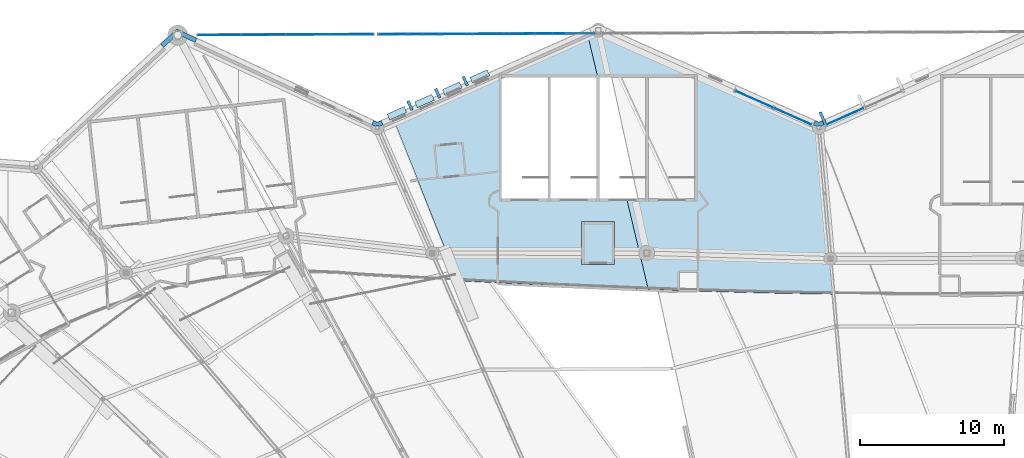
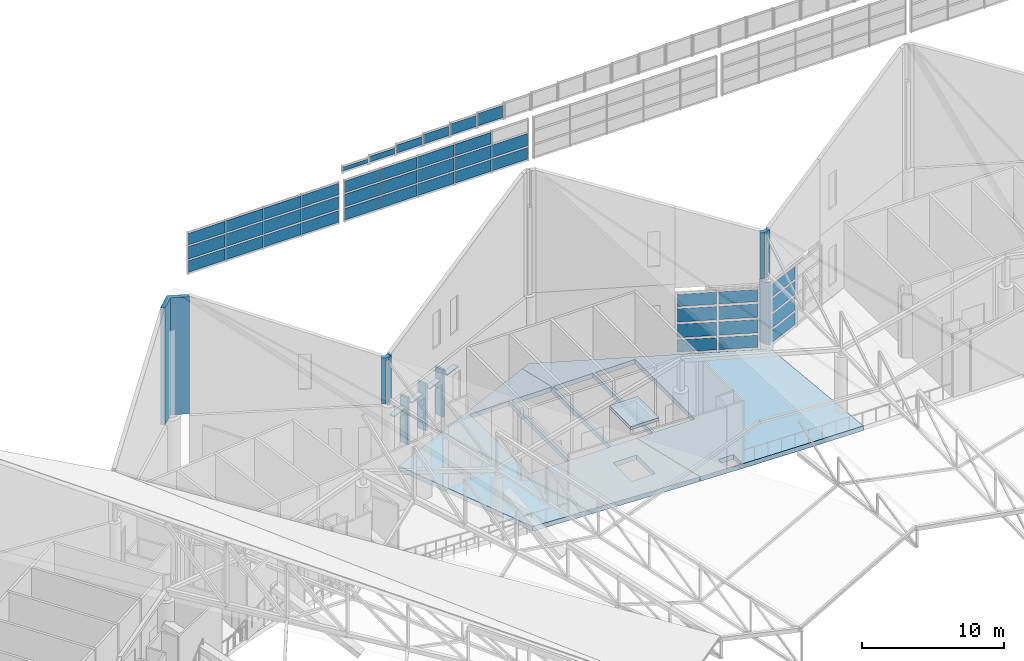
# One storey, part 237 of 344: 55 plates, 3 slabs, 10 elements without a shape of their own.
"""IFC4 building model written with IfcOpenShell, lengths in metres."""

from ifc_helpers import new_model, si_unit, direction, frame, origin, origin_2d, place, context, subcontext, project, spatial, polyline, rectangle, outline, extrude, material, layer, layer_set, type_object, element, aggregate, save


model = new_model("IFC4")

# Units and contexts
model_context = context("Model", 3, precision=1e-05, world=origin(), true_north=direction((0.0, 1.0)))
body_context = subcontext(model_context, "Body", "Model", "MODEL_VIEW")
ifc_project = project(units=[si_unit("LENGTHUNIT", "METRE"), si_unit("AREAUNIT", "SQUARE_METRE"), si_unit("VOLUMEUNIT", "CUBIC_METRE"), si_unit("PLANEANGLEUNIT", "RADIAN"), si_unit("MASSUNIT", "GRAM", prefix="KILO")], contexts=[model_context])

# Site, building, storey
site_placement = place(None, origin())
site = spatial("IfcSite", under=ifc_project, at=site_placement, CompositionType="ELEMENT")
building_placement = place(site_placement, origin())
building = spatial("IfcBuilding", under=site, at=building_placement, Name="Meseta Stadium", CompositionType="ELEMENT")
storey_placement = place(building_placement, frame((0.0, 0.0, 24.0)))
storey = spatial("IfcBuildingStorey", under=building, at=storey_placement, Name="L04", CompositionType="ELEMENT", Elevation=24.0)

# Plate
ifc_material_1 = material(Name="White precast concrete C40/50", Category="concrete")
ifc_layer_1 = layer(ifc_material_1, 0.199951171875)
ifc_layer_set_1 = layer_set([ifc_layer_1], Name="Brise-soleil fin 200x900")
plate_type_1 = type_object("IfcPlateType", Name="Brise-soleil fin 200x900", PredefinedType="USERDEFINED", material=ifc_layer_set_1)
plate_1_placement = place(storey_placement, frame((-7.39990234375, 99.29248046875, 0.0), z_axis=(0.0, 0.0, 1.0), x_axis=(-0.914139046248, -0.40540079443, 0.0)))
element("IfcPlate", 1, at=plate_1_placement, inside=storey, type_object=plate_type_1, Name="Brise-soleil fin F18.3", ObjectType="FIN", PredefinedType="USERDEFINED", context=body_context, shape_type="SweptSolid", body=[
    extrude(rectangle(XDim=0.199951171875, YDim=0.89990234375, at=origin_2d()), origin(), (0.0, 0.0, 1.0), 5.35009765625),
])

# Curtain wall, plates
ifc_material_2 = material(Name="Steel S355", Category="steel")
ifc_layer_2 = layer(ifc_material_2, 0.300048828125)
ifc_layer_set_2 = layer_set([ifc_layer_2], Name="Valley atrium curtain wall")
curtain_wall_type_1 = type_object("IfcCurtainWallType", Name="Valley atrium curtain wall", PredefinedType="NOTDEFINED", material=ifc_layer_set_2)
curtain_wall_1_placement = place(storey_placement, origin())
curtain_wall_1 = element("IfcCurtainWall", 2, at=curtain_wall_1_placement, inside=storey, type_object=curtain_wall_type_1, Name="Valley atrium glazing F18", PredefinedType="NOTDEFINED")
ifc_material_3 = material(Name="Glass", Category="glass")
ifc_layer_3 = layer(ifc_material_3, 0.035888671875)
ifc_layer_set_3 = layer_set([ifc_layer_3], Name="CW glass panel 36")
plate_type_2 = type_object("IfcPlateType", Name="CW glass panel 36", PredefinedType="CURTAIN_PANEL", material=ifc_layer_set_3)
plate_2_placement = place(storey_placement, frame((-5.85009765625, 99.405517578125, 0.199951171875), z_axis=(0.0, 0.0, 1.0), x_axis=(-0.914139046206, -0.405400794526, 0.0)))
plate_2 = element("IfcPlate", 3, at=plate_2_placement, type_object=plate_type_2, Name="CWA panel 2.1", PredefinedType="CURTAIN_PANEL", context=body_context, shape_type="SweptSolid", body=[
    extrude(rectangle(XDim=2.77490234375, YDim=0.035888671875, at=origin_2d()), origin(), (0.0, 0.0, 1.0), 1.03759765625),
])
plate_3_placement = place(storey_placement, frame((-5.85009765625, 99.405517578125, 1.4375), z_axis=(0.0, 0.0, 1.0), x_axis=(-0.914139046206, -0.405400794526, 0.0)))
plate_3 = element("IfcPlate", 4, at=plate_3_placement, type_object=plate_type_2, Name="CWA panel 2.2", PredefinedType="CURTAIN_PANEL", context=body_context, shape_type="SweptSolid", body=[
    extrude(rectangle(XDim=2.77490234375, YDim=0.035888671875, at=origin_2d()), origin(), (0.0, 0.0, 1.0), 1.137451171875),
])
plate_4_placement = place(storey_placement, frame((-5.85009765625, 99.405517578125, 2.77490234375), z_axis=(0.0, 0.0, 1.0), x_axis=(-0.914139046206, -0.405400794526, 0.0)))
plate_4 = element("IfcPlate", 5, at=plate_4_placement, type_object=plate_type_2, Name="CWA panel 2.3", PredefinedType="CURTAIN_PANEL", context=body_context, shape_type="SweptSolid", body=[
    extrude(rectangle(XDim=2.77490234375, YDim=0.035888671875, at=origin_2d()), origin(), (0.0, 0.0, 1.0), 1.137451171875),
])
plate_5_placement = place(storey_placement, frame((-5.85009765625, 99.405517578125, 4.112548828125), z_axis=(0.0, 0.0, 1.0), x_axis=(-0.914139046206, -0.405400794526, 0.0)))
plate_5 = element("IfcPlate", 6, at=plate_5_placement, type_object=plate_type_2, Name="CWA panel 2.4", PredefinedType="CURTAIN_PANEL", context=body_context, shape_type="SweptSolid", body=[
    extrude(rectangle(XDim=2.77490234375, YDim=0.035888671875, at=origin_2d()), origin(), (0.0, 0.0, 1.0), 1.03759765625),
])
aggregate(curtain_wall_1, [plate_2, plate_3, plate_4, plate_5])

curtain_wall_2_placement = place(storey_placement, origin())
curtain_wall_2 = element("IfcCurtainWall", 7, at=curtain_wall_2_placement, inside=storey, type_object=curtain_wall_type_1, Name="Valley atrium glazing F19", PredefinedType="NOTDEFINED")
plate_6_placement = place(storey_placement, frame((-9.483154296875, 99.405517578125, 0.199951171875), z_axis=(0.0, 0.0, 1.0), x_axis=(-0.914139046234, 0.405400794462, 0.0)))
plate_6 = element("IfcPlate", 8, at=plate_6_placement, type_object=plate_type_2, Name="CWA panel 1.1", PredefinedType="CURTAIN_PANEL", context=body_context, shape_type="SweptSolid", body=[
    extrude(rectangle(XDim=2.77490234375, YDim=0.035888671875, at=origin_2d()), origin(), (0.0, 0.0, 1.0), 1.03759765625),
])
plate_7_placement = place(storey_placement, frame((-9.483154296875, 99.405517578125, 1.4375), z_axis=(0.0, 0.0, 1.0), x_axis=(-0.914139046234, 0.405400794462, 0.0)))
plate_7 = element("IfcPlate", 9, at=plate_7_placement, type_object=plate_type_2, Name="CWA panel 1.2", PredefinedType="CURTAIN_PANEL", context=body_context, shape_type="SweptSolid", body=[
    extrude(rectangle(XDim=2.77490234375, YDim=0.035888671875, at=origin_2d()), origin(), (0.0, 0.0, 1.0), 1.137451171875),
])
plate_8_placement = place(storey_placement, frame((-9.483154296875, 99.405517578125, 2.77490234375), z_axis=(0.0, 0.0, 1.0), x_axis=(-0.914139046234, 0.405400794462, 0.0)))
plate_8 = element("IfcPlate", 10, at=plate_8_placement, type_object=plate_type_2, Name="CWA panel 1.3", PredefinedType="CURTAIN_PANEL", context=body_context, shape_type="SweptSolid", body=[
    extrude(rectangle(XDim=2.77490234375, YDim=0.035888671875, at=origin_2d()), origin(), (0.0, 0.0, 1.0), 1.137451171875),
])
plate_9_placement = place(storey_placement, frame((-9.483154296875, 99.405517578125, 4.112548828125), z_axis=(0.0, 0.0, 1.0), x_axis=(-0.914139046234, 0.405400794462, 0.0)))
plate_9 = element("IfcPlate", 11, at=plate_9_placement, type_object=plate_type_2, Name="CWA panel 1.4", PredefinedType="CURTAIN_PANEL", context=body_context, shape_type="SweptSolid", body=[
    extrude(rectangle(XDim=2.77490234375, YDim=0.035888671875, at=origin_2d()), origin(), (0.0, 0.0, 1.0), 1.03759765625),
])
plate_10_placement = place(storey_placement, frame((-12.156982421875, 100.59130859375, 0.199951171875), z_axis=(0.0, 0.0, 1.0), x_axis=(-0.914139046234, 0.405400794462, 0.0)))
plate_10 = element("IfcPlate", 12, at=plate_10_placement, type_object=plate_type_2, Name="CWA panel 2.1", PredefinedType="CURTAIN_PANEL", context=body_context, shape_type="SweptSolid", body=[
    extrude(rectangle(XDim=2.77490234375, YDim=0.035888671875, at=origin_2d()), origin(), (0.0, 0.0, 1.0), 1.03759765625),
])
plate_11_placement = place(storey_placement, frame((-12.156982421875, 100.59130859375, 1.4375), z_axis=(0.0, 0.0, 1.0), x_axis=(-0.914139046234, 0.405400794462, 0.0)))
plate_11 = element("IfcPlate", 13, at=plate_11_placement, type_object=plate_type_2, Name="CWA panel 2.2", PredefinedType="CURTAIN_PANEL", context=body_context, shape_type="SweptSolid", body=[
    extrude(rectangle(XDim=2.77490234375, YDim=0.035888671875, at=origin_2d()), origin(), (0.0, 0.0, 1.0), 1.137451171875),
])
plate_12_placement = place(storey_placement, frame((-12.156982421875, 100.59130859375, 2.77490234375), z_axis=(0.0, 0.0, 1.0), x_axis=(-0.914139046234, 0.405400794462, 0.0)))
plate_12 = element("IfcPlate", 14, at=plate_12_placement, type_object=plate_type_2, Name="CWA panel 2.3", PredefinedType="CURTAIN_PANEL", context=body_context, shape_type="SweptSolid", body=[
    extrude(rectangle(XDim=2.77490234375, YDim=0.035888671875, at=origin_2d()), origin(), (0.0, 0.0, 1.0), 1.137451171875),
])
plate_13_placement = place(storey_placement, frame((-12.156982421875, 100.59130859375, 4.112548828125), z_axis=(0.0, 0.0, 1.0), x_axis=(-0.914139046234, 0.405400794462, 0.0)))
plate_13 = element("IfcPlate", 15, at=plate_13_placement, type_object=plate_type_2, Name="CWA panel 2.4", PredefinedType="CURTAIN_PANEL", context=body_context, shape_type="SweptSolid", body=[
    extrude(rectangle(XDim=2.77490234375, YDim=0.035888671875, at=origin_2d()), origin(), (0.0, 0.0, 1.0), 1.03759765625),
])
aggregate(curtain_wall_2, [plate_6, plate_7, plate_8, plate_9, plate_10, plate_11, plate_12, plate_13])

# Curtain wall, plate
ifc_material_4 = material(Name="Aluminium", Category="aluminium")
ifc_layer_4 = layer(ifc_material_4, 0.199951171875)
ifc_layer_set_4 = layer_set([ifc_layer_4], Name="Gable glazing curtain wall")
curtain_wall_type_2 = type_object("IfcCurtainWallType", Name="Gable glazing curtain wall", PredefinedType="NOTDEFINED", material=ifc_layer_set_4)
curtain_wall_3_placement = place(storey_placement, origin())
curtain_wall_3 = element("IfcCurtainWall", 16, at=curtain_wall_3_placement, inside=storey, type_object=curtain_wall_type_2, Name="Gable glazing north bay 30", PredefinedType="NOTDEFINED")
plate_14_placement = place(storey_placement, frame((-26.290283203125, 105.1513671875, 22.0048828125), z_axis=(0.0, 0.0, 1.0), x_axis=(-0.999992598213, -0.003847534181, 0.0)))
plate_14 = element("IfcPlate", 17, at=plate_14_placement, type_object=plate_type_2, Name="CWG panel 1.1", PredefinedType="CURTAIN_PANEL", context=body_context, shape_type="SweptSolid", body=[
    extrude(rectangle(XDim=2.01025390625, YDim=0.035888671875, at=origin_2d()), origin(), (0.0, 0.0, 1.0), 1.0546875),
])
aggregate(curtain_wall_3, [plate_14])

curtain_wall_4_placement = place(storey_placement, origin())
curtain_wall_4 = element("IfcCurtainWall", 18, at=curtain_wall_4_placement, inside=storey, type_object=curtain_wall_type_2, Name="Gable glazing north bay 31", PredefinedType="NOTDEFINED")
plate_15_placement = place(storey_placement, frame((-28.484619140625, 105.142822265625, 22.0048828125), z_axis=(0.0, 0.0, 1.0), x_axis=(-0.999992598213, -0.003847534181, 0.0)))
plate_15 = element("IfcPlate", 19, at=plate_15_placement, type_object=plate_type_2, Name="CWG panel 1.1", PredefinedType="CURTAIN_PANEL", context=body_context, shape_type="SweptSolid", body=[
    extrude(rectangle(XDim=2.01025390625, YDim=0.035888671875, at=origin_2d()), origin(), (0.0, 0.0, 1.0), 0.943603515625),
])
aggregate(curtain_wall_4, [plate_15])

curtain_wall_5_placement = place(storey_placement, origin())
curtain_wall_5 = element("IfcCurtainWall", 20, at=curtain_wall_5_placement, inside=storey, type_object=curtain_wall_type_2, Name="Gable glazing north bay 32", PredefinedType="NOTDEFINED")
plate_16_placement = place(storey_placement, frame((-30.6787109375, 105.134521484375, 22.0048828125), z_axis=(0.0, 0.0, 1.0), x_axis=(-0.999992598213, -0.003847534181, 0.0)))
plate_16 = element("IfcPlate", 21, at=plate_16_placement, type_object=plate_type_2, Name="CWG panel 1.1", PredefinedType="CURTAIN_PANEL", context=body_context, shape_type="SweptSolid", body=[
    extrude(rectangle(XDim=2.01025390625, YDim=0.035888671875, at=origin_2d()), origin(), (0.0, 0.0, 1.0), 0.8203125),
])
aggregate(curtain_wall_5, [plate_16])

curtain_wall_6_placement = place(storey_placement, origin())
curtain_wall_6 = element("IfcCurtainWall", 22, at=curtain_wall_6_placement, inside=storey, type_object=curtain_wall_type_2, Name="Gable glazing north bay 33", PredefinedType="NOTDEFINED")
plate_17_placement = place(storey_placement, frame((-32.872802734375, 105.1259765625, 22.0048828125), z_axis=(0.0, 0.0, 1.0), x_axis=(-0.999992598211, -0.003847534652, 0.0)))
plate_17 = element("IfcPlate", 23, at=plate_17_placement, type_object=plate_type_2, Name="CWG panel 1.1", PredefinedType="CURTAIN_PANEL", context=body_context, shape_type="SweptSolid", body=[
    extrude(rectangle(XDim=2.01025390625, YDim=0.035888671875, at=origin_2d()), origin(), (0.0, 0.0, 1.0), 0.684326171875),
])
aggregate(curtain_wall_6, [plate_17])

curtain_wall_7_placement = place(storey_placement, origin())
curtain_wall_7 = element("IfcCurtainWall", 24, at=curtain_wall_7_placement, inside=storey, type_object=curtain_wall_type_2, Name="Gable glazing north bay 34", PredefinedType="NOTDEFINED")
plate_18_placement = place(storey_placement, frame((-35.067138671875, 105.11767578125, 22.0048828125), z_axis=(0.0, 0.0, 1.0), x_axis=(-0.999992598213, -0.003847534181, 0.0)))
plate_18 = element("IfcPlate", 25, at=plate_18_placement, type_object=plate_type_2, Name="CWG panel 1.1", PredefinedType="CURTAIN_PANEL", context=body_context, shape_type="SweptSolid", body=[
    extrude(rectangle(XDim=2.01025390625, YDim=0.035888671875, at=origin_2d()), origin(), (0.0, 0.0, 1.0), 0.485595703125),
])
aggregate(curtain_wall_7, [plate_18])

curtain_wall_8_placement = place(storey_placement, origin())
curtain_wall_8 = element("IfcCurtainWall", 26, at=curtain_wall_8_placement, inside=storey, type_object=curtain_wall_type_2, Name="Gable glazing north bay 35", PredefinedType="NOTDEFINED")
plate_19_placement = place(storey_placement, frame((-37.26123046875, 105.109130859375, 22.0048828125), z_axis=(0.0, 0.0, 1.0), x_axis=(-0.999992598213, -0.003847534181, 0.0)))
plate_19 = element("IfcPlate", 27, at=plate_19_placement, type_object=plate_type_2, Name="CWG panel 1.1", PredefinedType="CURTAIN_PANEL", context=body_context, shape_type="SweptSolid", body=[
    extrude(rectangle(XDim=2.01025390625, YDim=0.035888671875, at=origin_2d()), origin(), (0.0, 0.0, 1.0), 0.32373046875),
])
aggregate(curtain_wall_8, [plate_19])

# Curtain wall, plates
curtain_wall_9_placement = place(storey_placement, origin())
curtain_wall_9 = element("IfcCurtainWall", 28, at=curtain_wall_9_placement, inside=storey, type_object=curtain_wall_type_2, Name="Gable glazing north lower bay 05", PredefinedType="NOTDEFINED")
plate_20_placement = place(storey_placement, frame((-24.706298828125, 105.157470703125, 17.75), z_axis=(0.0, 0.0, 1.0), x_axis=(-0.999992598213, -0.003847534216, 0.0)))
plate_20 = element("IfcPlate", 29, at=plate_20_placement, type_object=plate_type_2, Name="CWG panel 1.1", PredefinedType="CURTAIN_PANEL", context=body_context, shape_type="SweptSolid", body=[
    extrude(rectangle(XDim=2.903564453125, YDim=0.035888671875, at=origin_2d()), origin(), (0.0, 0.0, 1.0), 0.986572265625),
])
plate_21_placement = place(storey_placement, frame((-24.706298828125, 105.157470703125, 18.88671875), z_axis=(0.0, 0.0, 1.0), x_axis=(-0.999992598213, -0.003847534216, 0.0)))
plate_21 = element("IfcPlate", 30, at=plate_21_placement, type_object=plate_type_2, Name="CWG panel 1.2", PredefinedType="CURTAIN_PANEL", context=body_context, shape_type="SweptSolid", body=[
    extrude(rectangle(XDim=2.903564453125, YDim=0.035888671875, at=origin_2d()), origin(), (0.0, 0.0, 1.0), 1.061767578125),
])
plate_22_placement = place(storey_placement, frame((-27.68505859375, 105.14599609375, 17.75), z_axis=(0.0, 0.0, 1.0), x_axis=(-0.999992598213, -0.003847534216, 0.0)))
plate_22 = element("IfcPlate", 31, at=plate_22_placement, type_object=plate_type_2, Name="CWG panel 2.1", PredefinedType="CURTAIN_PANEL", context=body_context, shape_type="SweptSolid", body=[
    extrude(rectangle(XDim=2.93359375, YDim=0.035888671875, at=origin_2d()), origin(), (0.0, 0.0, 1.0), 0.986572265625),
])
plate_23_placement = place(storey_placement, frame((-27.68505859375, 105.14599609375, 18.88671875), z_axis=(0.0, 0.0, 1.0), x_axis=(-0.999992598213, -0.003847534216, 0.0)))
plate_23 = element("IfcPlate", 32, at=plate_23_placement, type_object=plate_type_2, Name="CWG panel 2.2", PredefinedType="CURTAIN_PANEL", context=body_context, shape_type="SweptSolid", body=[
    extrude(rectangle(XDim=2.93359375, YDim=0.035888671875, at=origin_2d()), origin(), (0.0, 0.0, 1.0), 1.061767578125),
])
plate_24_placement = place(storey_placement, frame((-27.68505859375, 105.14599609375, 20.09814453125), z_axis=(0.0, 0.0, 1.0), x_axis=(-0.999992598213, -0.003847534216, 0.0)))
plate_24 = element("IfcPlate", 33, at=plate_24_placement, type_object=plate_type_2, Name="CWG panel 2.3", PredefinedType="CURTAIN_PANEL", context=body_context, shape_type="SweptSolid", body=[
    extrude(rectangle(XDim=2.93359375, YDim=0.035888671875, at=origin_2d()), origin(), (0.0, 0.0, 1.0), 0.986572265625),
])
plate_25_placement = place(storey_placement, frame((-30.6787109375, 105.134521484375, 17.75), z_axis=(0.0, 0.0, 1.0), x_axis=(-0.999992598213, -0.003847534216, 0.0)))
plate_25 = element("IfcPlate", 34, at=plate_25_placement, type_object=plate_type_2, Name="CWG panel 3.1", PredefinedType="CURTAIN_PANEL", context=body_context, shape_type="SweptSolid", body=[
    extrude(rectangle(XDim=2.93359375, YDim=0.035888671875, at=origin_2d()), origin(), (0.0, 0.0, 1.0), 0.986572265625),
])
plate_26_placement = place(storey_placement, frame((-30.6787109375, 105.134521484375, 18.88671875), z_axis=(0.0, 0.0, 1.0), x_axis=(-0.999992598213, -0.003847534216, 0.0)))
plate_26 = element("IfcPlate", 35, at=plate_26_placement, type_object=plate_type_2, Name="CWG panel 3.2", PredefinedType="CURTAIN_PANEL", context=body_context, shape_type="SweptSolid", body=[
    extrude(rectangle(XDim=2.93359375, YDim=0.035888671875, at=origin_2d()), origin(), (0.0, 0.0, 1.0), 1.061767578125),
])
plate_27_placement = place(storey_placement, frame((-30.6787109375, 105.134521484375, 20.09814453125), z_axis=(0.0, 0.0, 1.0), x_axis=(-0.999992598213, -0.003847534216, 0.0)))
plate_27 = element("IfcPlate", 36, at=plate_27_placement, type_object=plate_type_2, Name="CWG panel 3.3", PredefinedType="CURTAIN_PANEL", context=body_context, shape_type="SweptSolid", body=[
    extrude(rectangle(XDim=2.93359375, YDim=0.035888671875, at=origin_2d()), origin(), (0.0, 0.0, 1.0), 0.986572265625),
])
plate_28_placement = place(storey_placement, frame((-33.67236328125, 105.123046875, 17.75), z_axis=(0.0, 0.0, 1.0), x_axis=(-0.999992598213, -0.003847534216, 0.0)))
plate_28 = element("IfcPlate", 37, at=plate_28_placement, type_object=plate_type_2, Name="CWG panel 4.1", PredefinedType="CURTAIN_PANEL", context=body_context, shape_type="SweptSolid", body=[
    extrude(rectangle(XDim=2.93359375, YDim=0.035888671875, at=origin_2d()), origin(), (0.0, 0.0, 1.0), 0.986572265625),
])
plate_29_placement = place(storey_placement, frame((-33.67236328125, 105.123046875, 18.88671875), z_axis=(0.0, 0.0, 1.0), x_axis=(-0.999992598213, -0.003847534216, 0.0)))
plate_29 = element("IfcPlate", 38, at=plate_29_placement, type_object=plate_type_2, Name="CWG panel 4.2", PredefinedType="CURTAIN_PANEL", context=body_context, shape_type="SweptSolid", body=[
    extrude(rectangle(XDim=2.93359375, YDim=0.035888671875, at=origin_2d()), origin(), (0.0, 0.0, 1.0), 1.061767578125),
])
plate_30_placement = place(storey_placement, frame((-33.67236328125, 105.123046875, 20.09814453125), z_axis=(0.0, 0.0, 1.0), x_axis=(-0.999992598213, -0.003847534216, 0.0)))
plate_30 = element("IfcPlate", 39, at=plate_30_placement, type_object=plate_type_2, Name="CWG panel 4.3", PredefinedType="CURTAIN_PANEL", context=body_context, shape_type="SweptSolid", body=[
    extrude(rectangle(XDim=2.93359375, YDim=0.035888671875, at=origin_2d()), origin(), (0.0, 0.0, 1.0), 0.986572265625),
])
plate_31_placement = place(storey_placement, frame((-36.651123046875, 105.111572265625, 17.75), z_axis=(0.0, 0.0, 1.0), x_axis=(-0.999992598213, -0.003847534216, 0.0)))
plate_31 = element("IfcPlate", 40, at=plate_31_placement, type_object=plate_type_2, Name="CWG panel 5.1", PredefinedType="CURTAIN_PANEL", context=body_context, shape_type="SweptSolid", body=[
    extrude(rectangle(XDim=2.903564453125, YDim=0.035888671875, at=origin_2d()), origin(), (0.0, 0.0, 1.0), 0.986572265625),
])
plate_32_placement = place(storey_placement, frame((-36.651123046875, 105.111572265625, 18.88671875), z_axis=(0.0, 0.0, 1.0), x_axis=(-0.999992598213, -0.003847534216, 0.0)))
plate_32 = element("IfcPlate", 41, at=plate_32_placement, type_object=plate_type_2, Name="CWG panel 5.2", PredefinedType="CURTAIN_PANEL", context=body_context, shape_type="SweptSolid", body=[
    extrude(rectangle(XDim=2.903564453125, YDim=0.035888671875, at=origin_2d()), origin(), (0.0, 0.0, 1.0), 1.061767578125),
])
plate_33_placement = place(storey_placement, frame((-36.651123046875, 105.111572265625, 20.09814453125), z_axis=(0.0, 0.0, 1.0), x_axis=(-0.999992598213, -0.003847534216, 0.0)))
plate_33 = element("IfcPlate", 42, at=plate_33_placement, type_object=plate_type_2, Name="CWG panel 5.3", PredefinedType="CURTAIN_PANEL", context=body_context, shape_type="SweptSolid", body=[
    extrude(rectangle(XDim=2.903564453125, YDim=0.035888671875, at=origin_2d()), origin(), (0.0, 0.0, 1.0), 0.986572265625),
])
aggregate(curtain_wall_9, [plate_20, plate_21, plate_22, plate_23, plate_24, plate_25, plate_26, plate_27, plate_28, plate_29, plate_30, plate_31, plate_32, plate_33])

curtain_wall_10_placement = place(storey_placement, origin())
curtain_wall_10 = element("IfcCurtainWall", 43, at=curtain_wall_10_placement, inside=storey, type_object=curtain_wall_type_2, Name="Gable glazing north lower bay 06", PredefinedType="NOTDEFINED")
plate_34_placement = place(storey_placement, frame((-40.1083984375, 105.09814453125, 17.75), z_axis=(0.0, 0.0, 1.0), x_axis=(-0.999992598213, -0.003847534233, 0.0)))
plate_34 = element("IfcPlate", 44, at=plate_34_placement, type_object=plate_type_2, Name="CWG panel 1.1", PredefinedType="CURTAIN_PANEL", context=body_context, shape_type="SweptSolid", body=[
    extrude(rectangle(XDim=2.9892578125, YDim=0.035888671875, at=origin_2d()), origin(), (0.0, 0.0, 1.0), 0.986572265625),
])
plate_35_placement = place(storey_placement, frame((-40.1083984375, 105.09814453125, 18.88671875), z_axis=(0.0, 0.0, 1.0), x_axis=(-0.999992598213, -0.003847534233, 0.0)))
plate_35 = element("IfcPlate", 45, at=plate_35_placement, type_object=plate_type_2, Name="CWG panel 1.2", PredefinedType="CURTAIN_PANEL", context=body_context, shape_type="SweptSolid", body=[
    extrude(rectangle(XDim=2.9892578125, YDim=0.035888671875, at=origin_2d()), origin(), (0.0, 0.0, 1.0), 1.061767578125),
])
plate_36_placement = place(storey_placement, frame((-40.1083984375, 105.09814453125, 20.09814453125), z_axis=(0.0, 0.0, 1.0), x_axis=(-0.999992598213, -0.003847534233, 0.0)))
plate_36 = element("IfcPlate", 46, at=plate_36_placement, type_object=plate_type_2, Name="CWG panel 1.3", PredefinedType="CURTAIN_PANEL", context=body_context, shape_type="SweptSolid", body=[
    extrude(rectangle(XDim=2.9892578125, YDim=0.035888671875, at=origin_2d()), origin(), (0.0, 0.0, 1.0), 0.986572265625),
])
plate_37_placement = place(storey_placement, frame((-43.172607421875, 105.08642578125, 17.75), z_axis=(0.0, 0.0, 1.0), x_axis=(-0.999992598213, -0.003847534233, 0.0)))
plate_37 = element("IfcPlate", 47, at=plate_37_placement, type_object=plate_type_2, Name="CWG panel 2.1", PredefinedType="CURTAIN_PANEL", context=body_context, shape_type="SweptSolid", body=[
    extrude(rectangle(XDim=3.019287109375, YDim=0.035888671875, at=origin_2d()), origin(), (0.0, 0.0, 1.0), 0.986572265625),
])
plate_38_placement = place(storey_placement, frame((-43.172607421875, 105.08642578125, 18.88671875), z_axis=(0.0, 0.0, 1.0), x_axis=(-0.999992598213, -0.003847534233, 0.0)))
plate_38 = element("IfcPlate", 48, at=plate_38_placement, type_object=plate_type_2, Name="CWG panel 2.2", PredefinedType="CURTAIN_PANEL", context=body_context, shape_type="SweptSolid", body=[
    extrude(rectangle(XDim=3.019287109375, YDim=0.035888671875, at=origin_2d()), origin(), (0.0, 0.0, 1.0), 1.061767578125),
])
plate_39_placement = place(storey_placement, frame((-43.172607421875, 105.08642578125, 20.09814453125), z_axis=(0.0, 0.0, 1.0), x_axis=(-0.999992598213, -0.003847534233, 0.0)))
plate_39 = element("IfcPlate", 49, at=plate_39_placement, type_object=plate_type_2, Name="CWG panel 2.3", PredefinedType="CURTAIN_PANEL", context=body_context, shape_type="SweptSolid", body=[
    extrude(rectangle(XDim=3.019287109375, YDim=0.035888671875, at=origin_2d()), origin(), (0.0, 0.0, 1.0), 0.986572265625),
])
plate_40_placement = place(storey_placement, frame((-46.251953125, 105.074462890625, 17.75), z_axis=(0.0, 0.0, 1.0), x_axis=(-0.999992598213, -0.003847534233, 0.0)))
plate_40 = element("IfcPlate", 50, at=plate_40_placement, type_object=plate_type_2, Name="CWG panel 3.1", PredefinedType="CURTAIN_PANEL", context=body_context, shape_type="SweptSolid", body=[
    extrude(rectangle(XDim=3.019287109375, YDim=0.035888671875, at=origin_2d()), origin(), (0.0, 0.0, 1.0), 0.986572265625),
])
plate_41_placement = place(storey_placement, frame((-46.251953125, 105.074462890625, 18.88671875), z_axis=(0.0, 0.0, 1.0), x_axis=(-0.999992598213, -0.003847534233, 0.0)))
plate_41 = element("IfcPlate", 51, at=plate_41_placement, type_object=plate_type_2, Name="CWG panel 3.2", PredefinedType="CURTAIN_PANEL", context=body_context, shape_type="SweptSolid", body=[
    extrude(rectangle(XDim=3.019287109375, YDim=0.035888671875, at=origin_2d()), origin(), (0.0, 0.0, 1.0), 1.061767578125),
])
plate_42_placement = place(storey_placement, frame((-46.251953125, 105.074462890625, 20.09814453125), z_axis=(0.0, 0.0, 1.0), x_axis=(-0.999992598213, -0.003847534233, 0.0)))
plate_42 = element("IfcPlate", 52, at=plate_42_placement, type_object=plate_type_2, Name="CWG panel 3.3", PredefinedType="CURTAIN_PANEL", context=body_context, shape_type="SweptSolid", body=[
    extrude(rectangle(XDim=3.019287109375, YDim=0.035888671875, at=origin_2d()), origin(), (0.0, 0.0, 1.0), 0.986572265625),
])
plate_43_placement = place(storey_placement, frame((-49.316162109375, 105.062744140625, 17.75), z_axis=(0.0, 0.0, 1.0), x_axis=(-0.999992598213, -0.003847534233, 0.0)))
plate_43 = element("IfcPlate", 53, at=plate_43_placement, type_object=plate_type_2, Name="CWG panel 4.1", PredefinedType="CURTAIN_PANEL", context=body_context, shape_type="SweptSolid", body=[
    extrude(rectangle(XDim=2.9892578125, YDim=0.035888671875, at=origin_2d()), origin(), (0.0, 0.0, 1.0), 0.986572265625),
])
plate_44_placement = place(storey_placement, frame((-49.316162109375, 105.062744140625, 18.88671875), z_axis=(0.0, 0.0, 1.0), x_axis=(-0.999992598213, -0.003847534233, 0.0)))
plate_44 = element("IfcPlate", 54, at=plate_44_placement, type_object=plate_type_2, Name="CWG panel 4.2", PredefinedType="CURTAIN_PANEL", context=body_context, shape_type="SweptSolid", body=[
    extrude(rectangle(XDim=2.9892578125, YDim=0.035888671875, at=origin_2d()), origin(), (0.0, 0.0, 1.0), 1.061767578125),
])
plate_45_placement = place(storey_placement, frame((-49.316162109375, 105.062744140625, 20.09814453125), z_axis=(0.0, 0.0, 1.0), x_axis=(-0.999992598213, -0.003847534233, 0.0)))
plate_45 = element("IfcPlate", 55, at=plate_45_placement, type_object=plate_type_2, Name="CWG panel 4.3", PredefinedType="CURTAIN_PANEL", context=body_context, shape_type="SweptSolid", body=[
    extrude(rectangle(XDim=2.9892578125, YDim=0.035888671875, at=origin_2d()), origin(), (0.0, 0.0, 1.0), 0.986572265625),
])
aggregate(curtain_wall_10, [plate_34, plate_35, plate_36, plate_37, plate_38, plate_39, plate_40, plate_41, plate_42, plate_43, plate_44, plate_45])

# Slabs
ifc_material_5 = material(Name="Concrete C40/50", Category="concrete")
ifc_layer_5 = layer(ifc_material_5, 0.25)
ifc_layer_set_5 = layer_set([ifc_layer_5], Name="Core roof slab 250")
slab_type_1 = type_object("IfcSlabType", Name="Core roof slab 250", PredefinedType="ROOF", material=ifc_layer_set_5)
slab_1_placement = place(storey_placement, frame((0.0, 0.0, 4.60009765625)))
element("IfcSlab", 56, at=slab_1_placement, inside=storey, type_object=slab_type_1, Name="Core 11 lift overrun roof", PredefinedType="ROOF", context=body_context, shape_type="SweptSolid", body=[
    extrude(outline(polyline([(-21.85009765625, 92.10009765625), (-21.85009765625, 89.10009765625), (-24.14990234375, 89.10009765625), (-24.14990234375, 92.10009765625), (-21.85009765625, 92.10009765625)])), origin(), (0.0, 0.0, 1.0), 0.25),
])
ifc_material_6 = material(Name="Concrete C40/50", Category="concrete")
ifc_layer_6 = layer(ifc_material_6, 0.39990234375)
ifc_layer_set_6 = layer_set([ifc_layer_6], Name="Floor slab 400")
slab_type_2 = type_object("IfcSlabType", Name="Floor slab 400", PredefinedType="FLOOR", material=ifc_layer_set_6)
slab_2_placement = place(storey_placement, frame((0.0, 0.0, -0.39990234375)))
element("IfcSlab", 57, at=slab_2_placement, inside=storey, type_object=slab_type_2, Name="Floor slab L04 sector 14 panel 01", PredefinedType="FLOOR", context=body_context, shape_type="SweptSolid", body=[
    extrude(outline(polyline([(-22.89990234375, 93.699951171875), (-22.89990234375, 101.580078125), (-23.732177734375, 105.0751953125), (-37.177001953125, 99.11279296875), (-32.75830078125, 87.97802734375), (-30.542236328125, 87.864013671875), (-28.322998046875, 87.75439453125), (-26.111328125, 87.650634765625), (-23.906982421875, 87.552734375), (-21.70947265625, 87.461669921875), (-19.518310546875, 87.37744140625), (-21.023681640625, 93.699951171875), (-22.89990234375, 93.699951171875)]), holes=[polyline([(-23.949951171875, 91.89990234375), (-22.050048828125, 91.89990234375), (-22.050048828125, 89.300048828125), (-23.949951171875, 89.300048828125), (-23.949951171875, 91.89990234375)]), polyline([(-23.10009765625, 102.10009765625), (-23.10009765625, 93.699951171875), (-26.300048828125, 93.699951171875), (-26.300048828125, 102.10009765625), (-23.10009765625, 102.10009765625)]), polyline([(-29.699951171875, 102.10009765625), (-26.5, 102.10009765625), (-26.5, 93.699951171875), (-29.699951171875, 93.699951171875), (-29.699951171875, 102.10009765625)])]), origin(), (0.0, 0.0, 1.0), 0.39990234375),
])
slab_3_placement = place(storey_placement, frame((0.0, 0.0, -0.39990234375)))
element("IfcSlab", 58, at=slab_3_placement, inside=storey, type_object=slab_type_2, Name="Floor slab L04 sector 14 panel 02", PredefinedType="FLOOR", context=body_context, shape_type="SweptSolid", body=[
    extrude(outline(polyline([(-19.699951171875, 102.10009765625), (-19.699951171875, 93.699951171875), (-21.023681640625, 93.699951171875), (-19.518310546875, 87.37744140625), (-17.33349609375, 87.30078125), (-15.154052734375, 87.23193359375), (-12.9794921875, 87.171630859375), (-10.8095703125, 87.119873046875), (-8.64306640625, 87.0771484375), (-6.4794921875, 87.04345703125), (-7.406005859375, 98.715576171875), (-7.666748046875, 98.60009765625), (-23.0, 105.39990234375), (-23.732177734375, 105.0751953125), (-22.89990234375, 101.580078125), (-22.89990234375, 102.10009765625), (-19.699951171875, 102.10009765625)]), holes=[polyline([(-16.300048828125, 93.699951171875), (-19.5, 93.699951171875), (-19.5, 102.10009765625), (-16.300048828125, 102.10009765625), (-16.300048828125, 93.699951171875)]), polyline([(-17.35009765625, 88.550048828125), (-16.14990234375, 88.550048828125), (-16.14990234375, 87.35009765625), (-17.35009765625, 87.35009765625), (-17.35009765625, 88.550048828125)])]), origin(), (0.0, 0.0, 1.0), 0.39990234375),
])

# Plates
ifc_material_7 = material(Name="White precast concrete C40/50", Category="concrete")
ifc_layer_7 = layer(ifc_material_7, 0.320068359375)
ifc_layer_set_7 = layer_set([ifc_layer_7], Name="Fold closer plate 320")
plate_type_3 = type_object("IfcPlateType", Name="Fold closer plate 320", PredefinedType="USERDEFINED", material=ifc_layer_set_7)
plate_46_placement = place(storey_placement, frame((0.0, 0.0, 6.0)))
element("IfcPlate", 59, at=plate_46_placement, inside=storey, type_object=plate_type_3, Name="Pleated fascia fold closer L04 F18", ObjectType="CLADDING", PredefinedType="USERDEFINED", context=body_context, shape_type="SweptSolid", body=[
    extrude(outline(polyline([(-7.546630859375, 98.697021484375), (-7.27197265625, 98.81884765625), (-7.401611328125, 99.111328125), (-7.666748046875, 98.993896484375), (-7.931640625, 99.111328125), (-8.061279296875, 98.81884765625), (-7.78662109375, 98.697021484375), (-7.785888671875, 98.7138671875), (-7.777587890625, 98.719970703125), (-7.556640625, 98.719970703125), (-7.54736328125, 98.7138671875), (-7.546630859375, 98.697021484375)])), origin(), (0.0, 0.0, 1.0), 3.9453125),
])
plate_47_placement = place(storey_placement, frame((0.0, 0.0, 6.0)))
element("IfcPlate", 60, at=plate_47_placement, inside=storey, type_object=plate_type_3, Name="Pleated fascia fold closer L04 F20", ObjectType="CLADDING", PredefinedType="USERDEFINED", context=body_context, shape_type="SweptSolid", body=[
    extrude(outline(polyline([(-38.21337890625, 98.697021484375), (-37.938720703125, 98.81884765625), (-38.068359375, 99.111328125), (-38.329833984375, 98.995361328125), (-38.589111328125, 99.115966796875), (-38.72412109375, 98.82568359375), (-38.453369140625, 98.699951171875), (-38.45263671875, 98.7138671875), (-38.4443359375, 98.719970703125), (-38.223388671875, 98.719970703125), (-38.214111328125, 98.7138671875), (-38.21337890625, 98.697021484375)])), origin(), (0.0, 0.0, 1.0), 3.9453125),
])
plate_48_placement = place(storey_placement, frame((0.0, 0.0, 6.0)))
element("IfcPlate", 61, at=plate_48_placement, inside=storey, type_object=plate_type_3, Name="Pleated fascia fold closer L04 F21", ObjectType="CLADDING", PredefinedType="USERDEFINED", context=body_context, shape_type="SweptSolid", body=[
    extrude(outline(polyline([(-53.398193359375, 104.4296875), (-53.18017578125, 104.195556640625), (-52.21044921875, 105.099365234375), (-51.008544921875, 104.540283203125), (-50.873779296875, 104.830322265625), (-52.27099609375, 105.48046875), (-53.398193359375, 104.4296875)])), origin(), (0.0, 0.0, 1.0), 10.029052734375),
])
ifc_material_8 = material(Name="White precast concrete C40/50", Category="concrete")
ifc_layer_8 = layer(ifc_material_8, 0.080078125)
ifc_layer_set_8 = layer_set([ifc_layer_8], Name="Louvre hood 1300x450")
plate_type_4 = type_object("IfcPlateType", Name="Louvre hood 1300x450", PredefinedType="USERDEFINED", material=ifc_layer_set_8)
for number, where, z_axis, x_axis, name in (
    (62, (-36.981201171875, 99.620849609375, 4.25), (0.0, 0.0, 1.0), (-0.914139046248, -0.40540079443, 0.0), "Louvre hood L04 F20"),
    (63, (-35.061279296875, 100.47216796875, 4.25), (0.0, 0.0, 1.0), (-0.914139046248, -0.40540079443, 0.0), "Louvre hood L04 F20"),
    (64, (-33.1416015625, 101.323486328125, 4.25), (0.0, 0.0, 1.0), (-0.914139046248, -0.40540079443, 0.0), "Louvre hood L04 F20"),
    (65, (-31.221923828125, 102.1748046875, 4.25), (0.0, 0.0, 1.0), (-0.914139046248, -0.40540079443, 0.0), "Louvre hood L04 F20"),
):
    element("IfcPlate", number, at=place(storey_placement, frame(where, z_axis=z_axis, x_axis=x_axis)), inside=storey, type_object=plate_type_4, Name=name, ObjectType="LOUVRE", PredefinedType="USERDEFINED", context=body_context, shape_type="SweptSolid", body=[
        extrude(rectangle(XDim=1.300048828125, YDim=0.449951171875, at=origin_2d()), origin(), (0.0, 0.0, 1.0), 0.080078125),
    ])
ifc_material_9 = material(Name="Precast concrete C40/50, terracotta pigment", Category="masonry")
ifc_layer_9 = layer(ifc_material_9, 0.199951171875)
ifc_layer_set_9 = layer_set([ifc_layer_9], Name="Precast concrete C40/50, terracotta pigment")
plate_type_5 = type_object("IfcPlateType", Name="Precast fin 200x700", PredefinedType="USERDEFINED", material=ifc_layer_set_9)
for number, where, z_axis, x_axis, name in (
    (66, (-36.072021484375, 100.160888671875, 0.9501953125), (0.0, 0.0, 1.0), (0.914139367606, 0.405400069798, 0.0), "Precast fin L04 F20.1"),
    (67, (-34.152099609375, 101.01220703125, 0.9501953125), (0.0, 0.0, 1.0), (0.914139367606, 0.405400069798, 0.0), "Precast fin L04 F20.2"),
    (68, (-32.232421875, 101.863525390625, 0.9501953125), (0.0, 0.0, 1.0), (0.914139367606, 0.405400069798, 0.0), "Precast fin L04 F20.3"),
):
    element("IfcPlate", number, at=place(storey_placement, frame(where, z_axis=z_axis, x_axis=x_axis)), inside=storey, type_object=plate_type_5, Name=name, ObjectType="FIN", PredefinedType="USERDEFINED", context=body_context, shape_type="SweptSolid", body=[
        extrude(rectangle(XDim=0.199951171875, YDim=0.699951171875, at=origin_2d()), origin(), (0.0, 0.0, 1.0), 4.050048828125),
    ])

save(model, "model.ifc")
